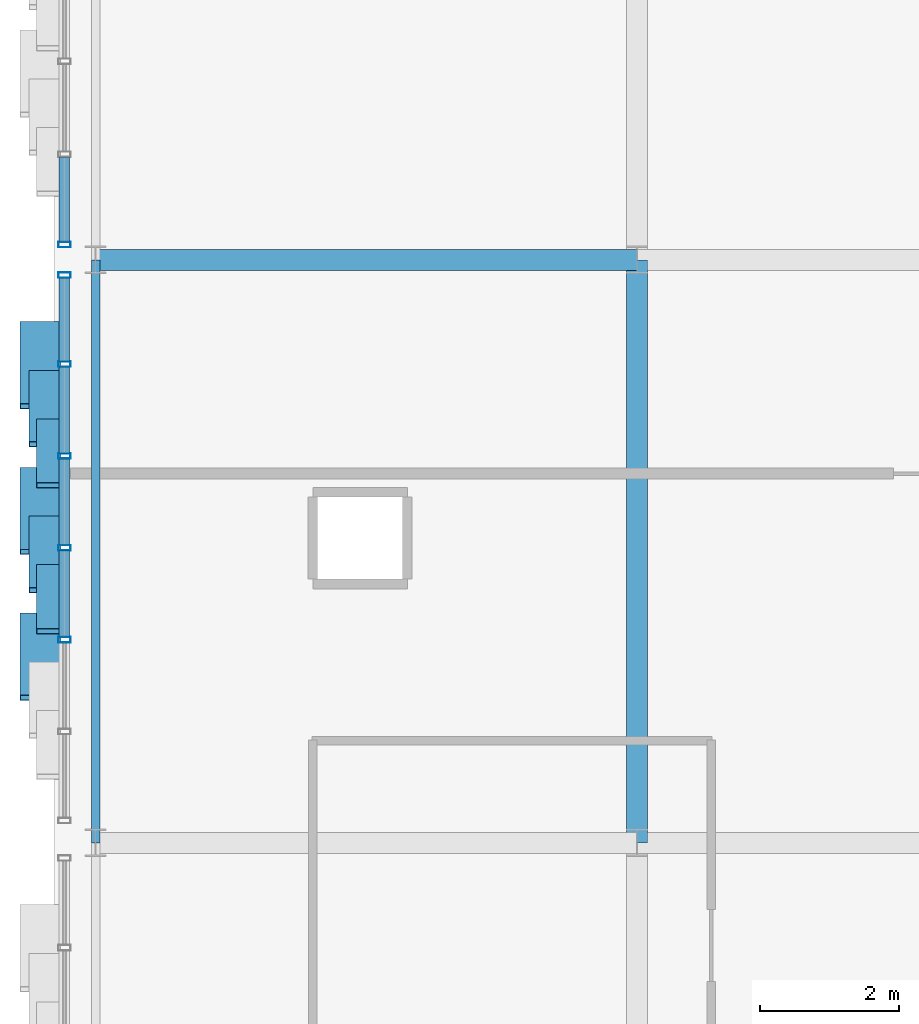
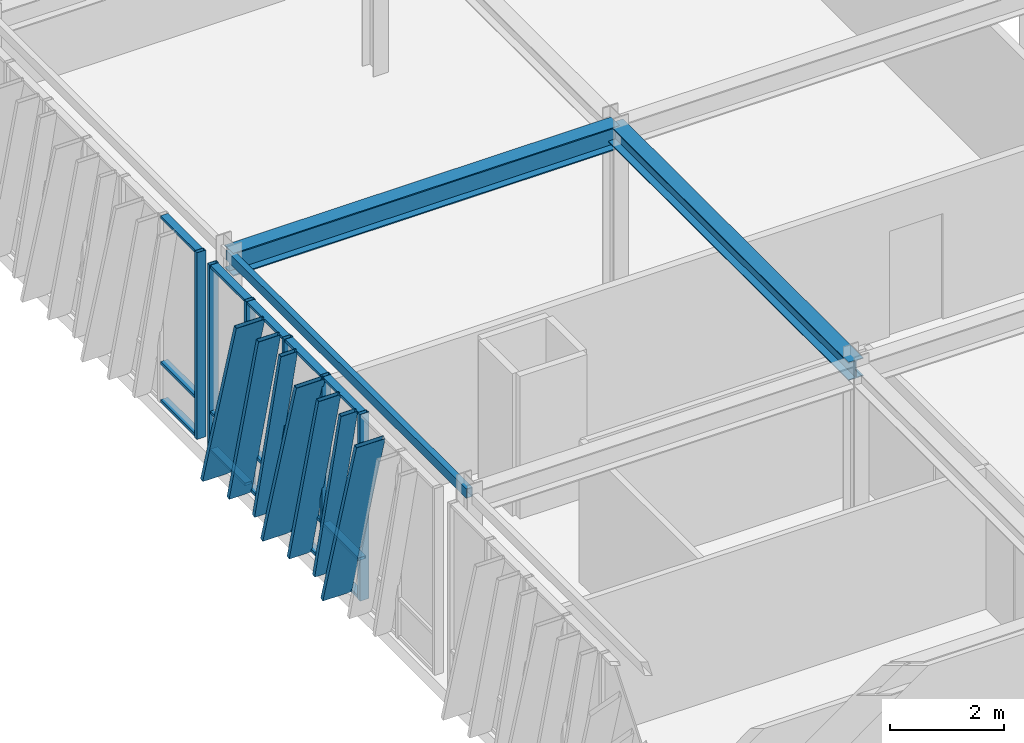
# One storey, part 36 of 123: 28 members, 3 beams, 2 elements without a shape of their own.
"""IFC4 building model written with IfcOpenShell, lengths in metres."""

from ifc_helpers import new_model, si_unit, direction, frame, origin, origin_2d, place, context, subcontext, project, spatial, hollow_rectangle, i_section, extrude, material, layer, layer_set, material_profile, profile_set, type_object, element, aggregate, save


model = new_model("IFC4")

# Units and contexts
model_context = context("Model", 3, precision=1e-05, world=origin(), true_north=direction((0.0, 1.0)))
body_context = subcontext(model_context, "Body", "Model", "MODEL_VIEW")
ifc_project = project(units=[si_unit("LENGTHUNIT", "METRE"), si_unit("AREAUNIT", "SQUARE_METRE"), si_unit("VOLUMEUNIT", "CUBIC_METRE"), si_unit("PLANEANGLEUNIT", "RADIAN"), si_unit("MASSUNIT", "GRAM", prefix="KILO")], contexts=[model_context])

# Site, building, storey
site_placement = place(None, origin())
site = spatial("IfcSite", under=ifc_project, at=site_placement, CompositionType="ELEMENT")
building_placement = place(site_placement, origin())
building = spatial("IfcBuilding", under=site, at=building_placement, Name="Zayran Congress Hotel", CompositionType="ELEMENT")
storey_placement = place(building_placement, frame((0.0, 0.0, 15.0)))
storey = spatial("IfcBuildingStorey", under=building, at=storey_placement, Name="L03", CompositionType="ELEMENT", Elevation=15.0)

# Beams
ifc_material_1 = material(Name="Steel S355", Category="steel")
ifc_material_profile_1 = material_profile(ifc_material_1, i_section(OverallWidth=0.300048828125, OverallDepth=0.489990234375, WebThickness=0.011962890625, FlangeThickness=0.02294921875, at=origin_2d()), Name="HEA 500")
ifc_profile_set_1 = profile_set([ifc_material_profile_1], Name="Steel S355")
beam_type_1 = type_object("IfcBeamType", Name="TP-BM-05", PredefinedType="BEAM", material=ifc_profile_set_1)
beam_1_placement = place(storey_placement, frame((9.0, 92.800048828125, 3.735107421875), z_axis=(1.0, 0.0, 0.0), x_axis=(0.0, 1.0, 0.0)))
element("IfcBeam", 1, at=beam_1_placement, inside=storey, type_object=beam_type_1, Name="BM-V1-L03-0821", PredefinedType="BEAM", context=body_context, shape_type="SweptSolid", body=[
    extrude(i_section(OverallWidth=0.300048828125, OverallDepth=0.489990234375, WebThickness=0.011962890625, FlangeThickness=0.02294921875, at=origin_2d()), origin(), (0.0, 0.0, 1.0), 7.800048828125),
])
ifc_material_profile_2 = material_profile(ifc_material_1, i_section(OverallWidth=0.300048828125, OverallDepth=0.389892578125, WebThickness=0.010986328125, FlangeThickness=0.01904296875, at=origin_2d()), Name="HEA 400")
ifc_profile_set_2 = profile_set([ifc_material_profile_2], Name="Steel S355")
beam_type_2 = type_object("IfcBeamType", Name="TP-BM-06", PredefinedType="BEAM", material=ifc_profile_set_2)
beam_2_placement = place(storey_placement, frame((16.800048828125, 84.39990234375, 3.784912109375), z_axis=(0.0, 1.0, 0.0), x_axis=(-1.0, 0.0, 0.0)))
element("IfcBeam", 2, at=beam_2_placement, inside=storey, type_object=beam_type_2, Name="BM-V1-L03-0856", PredefinedType="BEAM", context=body_context, shape_type="SweptSolid", body=[
    extrude(i_section(OverallWidth=0.300048828125, OverallDepth=0.389892578125, WebThickness=0.010986328125, FlangeThickness=0.01904296875, at=origin_2d()), origin(), (0.0, 0.0, 1.0), 8.400146484375),
])
ifc_material_profile_3 = material_profile(ifc_material_1, hollow_rectangle(XDim=0.1201171875, YDim=0.199951171875, WallThickness=0.008056640625, at=origin_2d()), Name="RHS 200x120x8")
ifc_profile_set_3 = profile_set([ifc_material_profile_3], Name="Steel S355")
beam_type_3 = type_object("IfcBeamType", Name="TP-SP-02", PredefinedType="SPANDREL", material=ifc_profile_set_3)
beam_3_placement = place(storey_placement, frame((9.0, 84.39990234375, 3.8798828125), z_axis=(0.0, 1.0, 0.0), x_axis=(-1.0, 0.0, 0.0)))
element("IfcBeam", 3, at=beam_3_placement, inside=storey, type_object=beam_type_3, Name="BM-V1-L03-0851", PredefinedType="SPANDREL", context=body_context, shape_type="SweptSolid", body=[
    extrude(hollow_rectangle(XDim=0.1201171875, YDim=0.199951171875, WallThickness=0.008056640625, at=origin_2d()), origin(), (0.0, 0.0, 1.0), 8.400146484375),
])

# Curtain wall, members
ifc_material_2 = material(Name="Anodised aluminium and low-E insulated glass", Category="aluminium")
ifc_layer_1 = layer(ifc_material_2, 0.179931640625)
ifc_layer_set_1 = layer_set([ifc_layer_1], Name="Anodised aluminium and low-E insulated glass")
curtain_wall_type_1 = type_object("IfcCurtainWallType", Name="CW-V1W-L03-CW-31-7940-3980", PredefinedType="USERDEFINED", material=ifc_layer_set_1)
curtain_wall_1_placement = place(storey_placement, origin())
curtain_wall_1 = element("IfcCurtainWall", 4, at=curtain_wall_1_placement, inside=storey, type_object=curtain_wall_type_1, Name="CW-V1W-L03-2", ObjectType="CURTAIN WALL", PredefinedType="USERDEFINED")
ifc_material_3 = material(Name="Anodised aluminium framing", Category="aluminium")
ifc_material_profile_4 = material_profile(ifc_material_3, hollow_rectangle(XDim=0.080078125, YDim=0.179931640625, WallThickness=0.0048828125, at=origin_2d()), Name="RHS 180x80x5")
ifc_profile_set_4 = profile_set([ifc_material_profile_4], Name="Anodised aluminium framing")
member_type_1 = type_object("IfcMemberType", Name="TP-CWM-01", PredefinedType="MULLION", material=ifc_profile_set_4)
member_1_placement = place(storey_placement, frame((8.550048828125, 92.580078125, 0.0), z_axis=(0.0, 0.0, 1.0), x_axis=(0.0, 1.0, 0.0)))
member_1 = element("IfcMember", 5, at=member_1_placement, type_object=member_type_1, Name="CW-V1W-L03-2-M00", PredefinedType="MULLION", context=body_context, shape_type="SweptSolid", body=[
    extrude(hollow_rectangle(XDim=0.080078125, YDim=0.179931640625, WallThickness=0.0048828125, at=origin_2d()), origin(), (0.0, 0.0, 1.0), 3.97998046875),
])
member_2_placement = place(storey_placement, frame((8.550048828125, 91.296630859375, 0.0), z_axis=(0.0, 0.0, 1.0), x_axis=(0.0, 1.0, 0.0)))
member_2 = element("IfcMember", 6, at=member_2_placement, type_object=member_type_1, Name="CW-V1W-L03-2-M01", PredefinedType="MULLION", context=body_context, shape_type="SweptSolid", body=[
    extrude(hollow_rectangle(XDim=0.080078125, YDim=0.179931640625, WallThickness=0.0048828125, at=origin_2d()), origin(), (0.0, 0.0, 1.0), 3.97998046875),
])
member_3_placement = place(storey_placement, frame((8.550048828125, 89.973388671875, 0.0), z_axis=(0.0, 0.0, 1.0), x_axis=(0.0, 1.0, 0.0)))
member_3 = element("IfcMember", 7, at=member_3_placement, type_object=member_type_1, Name="CW-V1W-L03-2-M02", PredefinedType="MULLION", context=body_context, shape_type="SweptSolid", body=[
    extrude(hollow_rectangle(XDim=0.080078125, YDim=0.179931640625, WallThickness=0.0048828125, at=origin_2d()), origin(), (0.0, 0.0, 1.0), 3.97998046875),
])
member_4_placement = place(storey_placement, frame((8.550048828125, 88.64990234375, 0.0), z_axis=(0.0, 0.0, 1.0), x_axis=(0.0, 1.0, 0.0)))
member_4 = element("IfcMember", 8, at=member_4_placement, type_object=member_type_1, Name="CW-V1W-L03-2-M03", PredefinedType="MULLION", context=body_context, shape_type="SweptSolid", body=[
    extrude(hollow_rectangle(XDim=0.080078125, YDim=0.179931640625, WallThickness=0.0048828125, at=origin_2d()), origin(), (0.0, 0.0, 1.0), 3.97998046875),
])
member_5_placement = place(storey_placement, frame((8.550048828125, 87.32666015625, 0.0), z_axis=(0.0, 0.0, 1.0), x_axis=(0.0, 1.0, 0.0)))
member_5 = element("IfcMember", 9, at=member_5_placement, type_object=member_type_1, Name="CW-V1W-L03-2-M04", PredefinedType="MULLION", context=body_context, shape_type="SweptSolid", body=[
    extrude(hollow_rectangle(XDim=0.080078125, YDim=0.179931640625, WallThickness=0.0048828125, at=origin_2d()), origin(), (0.0, 0.0, 1.0), 3.97998046875),
])

# Curtain wall, member
ifc_layer_2 = layer(ifc_material_2, 0.179931640625)
ifc_layer_set_2 = layer_set([ifc_layer_2], Name="Anodised aluminium and low-E insulated glass")
curtain_wall_type_2 = type_object("IfcCurtainWallType", Name="CW-V1W-L03-CW-32-8040-3980", PredefinedType="USERDEFINED", material=ifc_layer_set_2)
curtain_wall_2_placement = place(storey_placement, origin())
curtain_wall_2 = element("IfcCurtainWall", 10, at=curtain_wall_2_placement, inside=storey, type_object=curtain_wall_type_2, Name="CW-V1W-L03-3", ObjectType="CURTAIN WALL", PredefinedType="USERDEFINED")
member_6_placement = place(storey_placement, frame((8.550048828125, 93.02001953125, 0.0), z_axis=(0.0, 0.0, 1.0), x_axis=(0.0, 1.0, 0.0)))
member_6 = element("IfcMember", 11, at=member_6_placement, type_object=member_type_1, Name="CW-V1W-L03-3-M06", PredefinedType="MULLION", context=body_context, shape_type="SweptSolid", body=[
    extrude(hollow_rectangle(XDim=0.080078125, YDim=0.179931640625, WallThickness=0.0048828125, at=origin_2d()), origin(), (0.0, 0.0, 1.0), 3.97998046875),
])

# Member
ifc_material_profile_5 = material_profile(ifc_material_3, hollow_rectangle(XDim=0.06005859375, YDim=0.14990234375, WallThickness=0.00390625, at=origin_2d()), Name="RHS 150x60x4")
ifc_profile_set_5 = profile_set([ifc_material_profile_5], Name="Anodised aluminium framing")
member_type_2 = type_object("IfcMemberType", Name="TP-CWT-01", PredefinedType="USERDEFINED", material=ifc_profile_set_5)
member_7_placement = place(storey_placement, frame((8.550048828125, 92.5400390625, 0.030029296875), z_axis=(0.0, -1.0, 0.0), x_axis=(0.0, 0.0, 1.0)))
member_7 = element("IfcMember", 12, at=member_7_placement, type_object=member_type_2, Name="CW-V1W-L03-2-T00-0", ObjectType="TRANSOM", PredefinedType="USERDEFINED", context=body_context, shape_type="SweptSolid", body=[
    extrude(hollow_rectangle(XDim=0.06005859375, YDim=0.14990234375, WallThickness=0.00390625, at=origin_2d()), origin(), (0.0, 0.0, 1.0), 1.203369140625),
])

member_8_placement = place(storey_placement, frame((8.550048828125, 92.5400390625, 0.840087890625), z_axis=(0.0, -1.0, 0.0), x_axis=(0.0, 0.0, 1.0)))
member_8 = element("IfcMember", 13, at=member_8_placement, type_object=member_type_2, Name="CW-V1W-L03-2-T00-1", ObjectType="TRANSOM", PredefinedType="USERDEFINED", context=body_context, shape_type="SweptSolid", body=[
    extrude(hollow_rectangle(XDim=0.06005859375, YDim=0.14990234375, WallThickness=0.00390625, at=origin_2d()), origin(), (0.0, 0.0, 1.0), 1.203369140625),
])

member_9_placement = place(storey_placement, frame((8.550048828125, 92.5400390625, 3.949951171875), z_axis=(0.0, -1.0, 0.0), x_axis=(0.0, 0.0, 1.0)))
member_9 = element("IfcMember", 14, at=member_9_placement, type_object=member_type_2, Name="CW-V1W-L03-2-T00-2", ObjectType="TRANSOM", PredefinedType="USERDEFINED", context=body_context, shape_type="SweptSolid", body=[
    extrude(hollow_rectangle(XDim=0.06005859375, YDim=0.14990234375, WallThickness=0.00390625, at=origin_2d()), origin(), (0.0, 0.0, 1.0), 1.203369140625),
])

member_10_placement = place(storey_placement, frame((8.550048828125, 91.256591796875, 0.030029296875), z_axis=(0.0, -1.0, 0.0), x_axis=(0.0, 0.0, 1.0)))
member_10 = element("IfcMember", 15, at=member_10_placement, type_object=member_type_2, Name="CW-V1W-L03-2-T01-0", ObjectType="TRANSOM", PredefinedType="USERDEFINED", context=body_context, shape_type="SweptSolid", body=[
    extrude(hollow_rectangle(XDim=0.06005859375, YDim=0.14990234375, WallThickness=0.00390625, at=origin_2d()), origin(), (0.0, 0.0, 1.0), 1.243408203125),
])

member_11_placement = place(storey_placement, frame((8.550048828125, 91.256591796875, 0.840087890625), z_axis=(0.0, -1.0, 0.0), x_axis=(0.0, 0.0, 1.0)))
member_11 = element("IfcMember", 16, at=member_11_placement, type_object=member_type_2, Name="CW-V1W-L03-2-T01-1", ObjectType="TRANSOM", PredefinedType="USERDEFINED", context=body_context, shape_type="SweptSolid", body=[
    extrude(hollow_rectangle(XDim=0.06005859375, YDim=0.14990234375, WallThickness=0.00390625, at=origin_2d()), origin(), (0.0, 0.0, 1.0), 1.243408203125),
])

member_12_placement = place(storey_placement, frame((8.550048828125, 91.256591796875, 3.949951171875), z_axis=(0.0, -1.0, 0.0), x_axis=(0.0, 0.0, 1.0)))
member_12 = element("IfcMember", 17, at=member_12_placement, type_object=member_type_2, Name="CW-V1W-L03-2-T01-2", ObjectType="TRANSOM", PredefinedType="USERDEFINED", context=body_context, shape_type="SweptSolid", body=[
    extrude(hollow_rectangle(XDim=0.06005859375, YDim=0.14990234375, WallThickness=0.00390625, at=origin_2d()), origin(), (0.0, 0.0, 1.0), 1.243408203125),
])

member_13_placement = place(storey_placement, frame((8.550048828125, 89.933349609375, 0.030029296875), z_axis=(0.0, -1.0, 0.0), x_axis=(0.0, 0.0, 1.0)))
member_13 = element("IfcMember", 18, at=member_13_placement, type_object=member_type_2, Name="CW-V1W-L03-2-T02-0", ObjectType="TRANSOM", PredefinedType="USERDEFINED", context=body_context, shape_type="SweptSolid", body=[
    extrude(hollow_rectangle(XDim=0.06005859375, YDim=0.14990234375, WallThickness=0.00390625, at=origin_2d()), origin(), (0.0, 0.0, 1.0), 1.243408203125),
])

member_14_placement = place(storey_placement, frame((8.550048828125, 89.933349609375, 0.840087890625), z_axis=(0.0, -1.0, 0.0), x_axis=(0.0, 0.0, 1.0)))
member_14 = element("IfcMember", 19, at=member_14_placement, type_object=member_type_2, Name="CW-V1W-L03-2-T02-1", ObjectType="TRANSOM", PredefinedType="USERDEFINED", context=body_context, shape_type="SweptSolid", body=[
    extrude(hollow_rectangle(XDim=0.06005859375, YDim=0.14990234375, WallThickness=0.00390625, at=origin_2d()), origin(), (0.0, 0.0, 1.0), 1.243408203125),
])

member_15_placement = place(storey_placement, frame((8.550048828125, 89.933349609375, 3.949951171875), z_axis=(0.0, -1.0, 0.0), x_axis=(0.0, 0.0, 1.0)))
member_15 = element("IfcMember", 20, at=member_15_placement, type_object=member_type_2, Name="CW-V1W-L03-2-T02-2", ObjectType="TRANSOM", PredefinedType="USERDEFINED", context=body_context, shape_type="SweptSolid", body=[
    extrude(hollow_rectangle(XDim=0.06005859375, YDim=0.14990234375, WallThickness=0.00390625, at=origin_2d()), origin(), (0.0, 0.0, 1.0), 1.243408203125),
])

member_16_placement = place(storey_placement, frame((8.550048828125, 88.610107421875, 0.030029296875), z_axis=(0.0, -1.0, 0.0), x_axis=(0.0, 0.0, 1.0)))
member_16 = element("IfcMember", 21, at=member_16_placement, type_object=member_type_2, Name="CW-V1W-L03-2-T03-0", ObjectType="TRANSOM", PredefinedType="USERDEFINED", context=body_context, shape_type="SweptSolid", body=[
    extrude(hollow_rectangle(XDim=0.06005859375, YDim=0.14990234375, WallThickness=0.00390625, at=origin_2d()), origin(), (0.0, 0.0, 1.0), 1.243408203125),
])

member_17_placement = place(storey_placement, frame((8.550048828125, 88.610107421875, 0.840087890625), z_axis=(0.0, -1.0, 0.0), x_axis=(0.0, 0.0, 1.0)))
member_17 = element("IfcMember", 22, at=member_17_placement, type_object=member_type_2, Name="CW-V1W-L03-2-T03-1", ObjectType="TRANSOM", PredefinedType="USERDEFINED", context=body_context, shape_type="SweptSolid", body=[
    extrude(hollow_rectangle(XDim=0.06005859375, YDim=0.14990234375, WallThickness=0.00390625, at=origin_2d()), origin(), (0.0, 0.0, 1.0), 1.243408203125),
])

member_18_placement = place(storey_placement, frame((8.550048828125, 88.610107421875, 3.949951171875), z_axis=(0.0, -1.0, 0.0), x_axis=(0.0, 0.0, 1.0)))
member_18 = element("IfcMember", 23, at=member_18_placement, type_object=member_type_2, Name="CW-V1W-L03-2-T03-2", ObjectType="TRANSOM", PredefinedType="USERDEFINED", context=body_context, shape_type="SweptSolid", body=[
    extrude(hollow_rectangle(XDim=0.06005859375, YDim=0.14990234375, WallThickness=0.00390625, at=origin_2d()), origin(), (0.0, 0.0, 1.0), 1.243408203125),
])

member_19_placement = place(storey_placement, frame((8.550048828125, 94.280029296875, 0.030029296875), z_axis=(0.0, -1.0, 0.0), x_axis=(0.0, 0.0, 1.0)))
member_19 = element("IfcMember", 24, at=member_19_placement, type_object=member_type_2, Name="CW-V1W-L03-3-T05-0", ObjectType="TRANSOM", PredefinedType="USERDEFINED", context=body_context, shape_type="SweptSolid", body=[
    extrude(hollow_rectangle(XDim=0.06005859375, YDim=0.14990234375, WallThickness=0.00390625, at=origin_2d()), origin(), (0.0, 0.0, 1.0), 1.219970703125),
])

member_20_placement = place(storey_placement, frame((8.550048828125, 94.280029296875, 0.840087890625), z_axis=(0.0, -1.0, 0.0), x_axis=(0.0, 0.0, 1.0)))
member_20 = element("IfcMember", 25, at=member_20_placement, type_object=member_type_2, Name="CW-V1W-L03-3-T05-1", ObjectType="TRANSOM", PredefinedType="USERDEFINED", context=body_context, shape_type="SweptSolid", body=[
    extrude(hollow_rectangle(XDim=0.06005859375, YDim=0.14990234375, WallThickness=0.00390625, at=origin_2d()), origin(), (0.0, 0.0, 1.0), 1.219970703125),
])

member_21_placement = place(storey_placement, frame((8.550048828125, 94.280029296875, 3.949951171875), z_axis=(0.0, -1.0, 0.0), x_axis=(0.0, 0.0, 1.0)))
member_21 = element("IfcMember", 26, at=member_21_placement, type_object=member_type_2, Name="CW-V1W-L03-3-T05-2", ObjectType="TRANSOM", PredefinedType="USERDEFINED", context=body_context, shape_type="SweptSolid", body=[
    extrude(hollow_rectangle(XDim=0.06005859375, YDim=0.14990234375, WallThickness=0.00390625, at=origin_2d()), origin(), (0.0, 0.0, 1.0), 1.219970703125),
])

aggregate(curtain_wall_2, [member_6, member_19, member_20, member_21])

ifc_material_4 = material(Name="Warm bronze anodised aluminium", Category="aluminium")
ifc_material_profile_6 = material_profile(ifc_material_4, hollow_rectangle(XDim=0.080078125, YDim=0.580078125, WallThickness=0.006103515625, at=origin_2d()), Name="RHS 580x80x6")
ifc_profile_set_6 = profile_set([ifc_material_profile_6], Name="Warm bronze anodised aluminium")
member_type_3 = type_object("IfcMemberType", Name="TP-RFN-01", PredefinedType="MULLION", material=ifc_profile_set_6)
member_22_placement = place(storey_placement, frame((8.199951171875, 91.8701171875, 0.0), z_axis=(0.0, -0.284022244508, 0.958817691026), x_axis=(0.0, 0.958817691026, 0.284022244508)))
member_22 = element("IfcMember", 27, at=member_22_placement, type_object=member_type_3, Name="Slanting Reed Mullion CW-31-01", PredefinedType="MULLION", context=body_context, shape_type="SweptSolid", body=[
    extrude(hollow_rectangle(XDim=0.080078125, YDim=0.580078125, WallThickness=0.006103515625, at=origin_2d()), origin(), (0.0, 0.0, 1.0), 4.15087890625),
])

member_23_placement = place(storey_placement, frame((8.199951171875, 89.77001953125, 0.0), z_axis=(0.0, -0.284022244508, 0.958817691026), x_axis=(0.0, 0.958817691026, 0.284022244508)))
member_23 = element("IfcMember", 28, at=member_23_placement, type_object=member_type_3, Name="Slanting Reed Mullion CW-31-04", PredefinedType="MULLION", context=body_context, shape_type="SweptSolid", body=[
    extrude(hollow_rectangle(XDim=0.080078125, YDim=0.580078125, WallThickness=0.006103515625, at=origin_2d()), origin(), (0.0, 0.0, 1.0), 4.15087890625),
])

member_24_placement = place(storey_placement, frame((8.199951171875, 87.669921875, 0.0), z_axis=(0.0, -0.283968171801, 0.958833706856), x_axis=(0.0, 0.958833706856, 0.283968171801)))
member_24 = element("IfcMember", 29, at=member_24_placement, type_object=member_type_3, Name="Slanting Reed Mullion CW-31-07", PredefinedType="MULLION", context=body_context, shape_type="SweptSolid", body=[
    extrude(hollow_rectangle(XDim=0.080078125, YDim=0.580078125, WallThickness=0.006103515625, at=origin_2d()), origin(), (0.0, 0.0, 1.0), 4.15087890625),
])

ifc_material_profile_7 = material_profile(ifc_material_4, hollow_rectangle(XDim=0.080078125, YDim=0.449951171875, WallThickness=0.006103515625, at=origin_2d()), Name="RHS 450x80x6")
ifc_profile_set_7 = profile_set([ifc_material_profile_7], Name="Warm bronze anodised aluminium")
member_type_4 = type_object("IfcMemberType", Name="TP-RFN-02", PredefinedType="MULLION", material=ifc_profile_set_7)
member_25_placement = place(storey_placement, frame((8.264892578125, 91.169921875, 0.0), z_axis=(0.0, -0.250380902481, 0.968147408029), x_axis=(0.0, 0.968147408029, 0.250380902481)))
member_25 = element("IfcMember", 30, at=member_25_placement, type_object=member_type_4, Name="Slanting Reed Mullion CW-31-02", PredefinedType="MULLION", context=body_context, shape_type="SweptSolid", body=[
    extrude(hollow_rectangle(XDim=0.080078125, YDim=0.449951171875, WallThickness=0.006103515625, at=origin_2d()), origin(), (0.0, 0.0, 1.0), 4.11083984375),
])

member_26_placement = place(storey_placement, frame((8.264892578125, 89.070068359375, 0.0), z_axis=(0.0, -0.250380902481, 0.968147408029), x_axis=(0.0, 0.968147408029, 0.250380902481)))
member_26 = element("IfcMember", 31, at=member_26_placement, type_object=member_type_4, Name="Slanting Reed Mullion CW-31-05", PredefinedType="MULLION", context=body_context, shape_type="SweptSolid", body=[
    extrude(hollow_rectangle(XDim=0.080078125, YDim=0.449951171875, WallThickness=0.006103515625, at=origin_2d()), origin(), (0.0, 0.0, 1.0), 4.11083984375),
])

ifc_material_profile_8 = material_profile(ifc_material_4, hollow_rectangle(XDim=0.080078125, YDim=0.340087890625, WallThickness=0.006103515625, at=origin_2d()), Name="RHS 340x80x6")
ifc_profile_set_8 = profile_set([ifc_material_profile_8], Name="Warm bronze anodised aluminium")
member_type_5 = type_object("IfcMemberType", Name="TP-RFN-03", PredefinedType="MULLION", material=ifc_profile_set_8)
member_27_placement = place(storey_placement, frame((8.320068359375, 90.469970703125, 0.0), z_axis=(0.0, -0.224973000371, 0.974364997885), x_axis=(0.0, 0.974364997885, 0.224973000371)))
member_27 = element("IfcMember", 32, at=member_27_placement, type_object=member_type_5, Name="Slanting Reed Mullion CW-31-03", PredefinedType="MULLION", context=body_context, shape_type="SweptSolid", body=[
    extrude(hollow_rectangle(XDim=0.080078125, YDim=0.340087890625, WallThickness=0.006103515625, at=origin_2d()), origin(), (0.0, 0.0, 1.0), 4.084716796875),
])

member_28_placement = place(storey_placement, frame((8.320068359375, 88.3701171875, 0.0), z_axis=(0.0, -0.224973000371, 0.974364997885), x_axis=(0.0, 0.974364997885, 0.224973000371)))
member_28 = element("IfcMember", 33, at=member_28_placement, type_object=member_type_5, Name="Slanting Reed Mullion CW-31-06", PredefinedType="MULLION", context=body_context, shape_type="SweptSolid", body=[
    extrude(hollow_rectangle(XDim=0.080078125, YDim=0.340087890625, WallThickness=0.006103515625, at=origin_2d()), origin(), (0.0, 0.0, 1.0), 4.084716796875),
])

aggregate(curtain_wall_1, [member_1, member_2, member_3, member_4, member_5, member_7, member_8, member_9, member_10, member_11, member_12, member_13, member_14, member_15, member_16, member_17, member_18, member_22, member_25, member_27, member_23, member_26, member_28, member_24])

save(model, "model.ifc")
